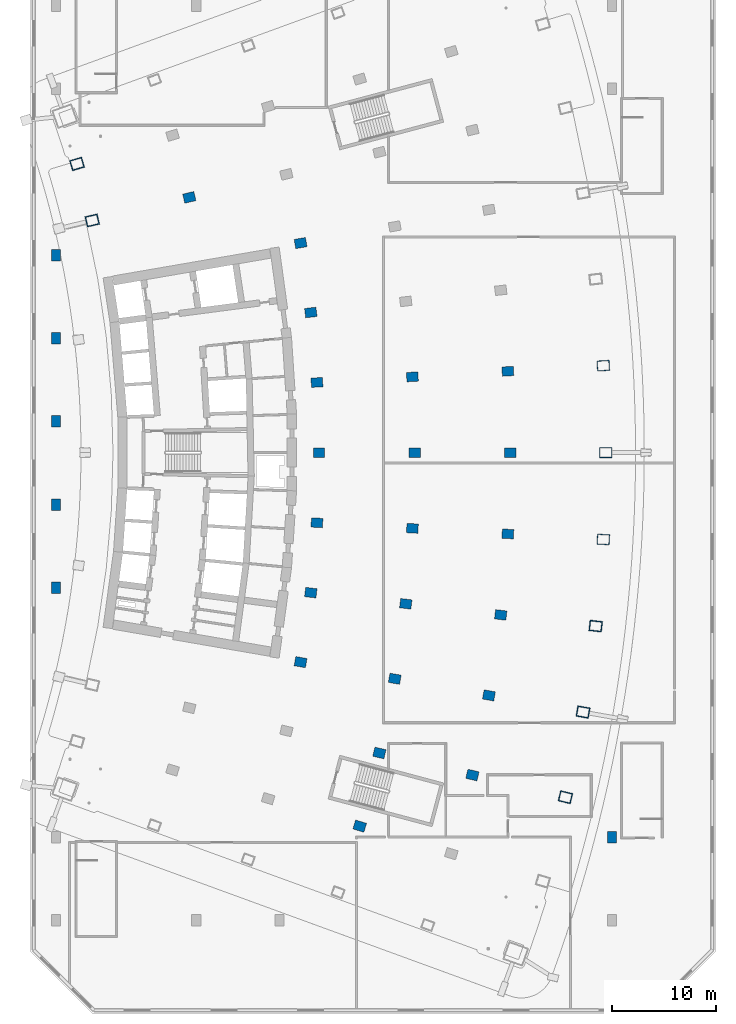
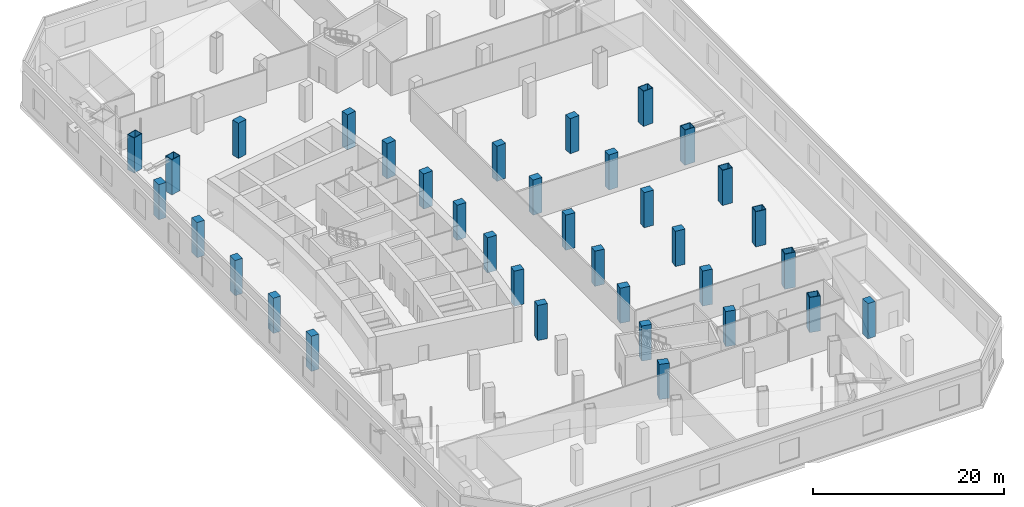
# One storey, part 5 of 19: 35 columns.
"""IFC4 building model written with IfcOpenShell, lengths in metres."""

from ifc_helpers import new_model, si_unit, direction, frame, origin, origin_2d, place, context, subcontext, project, spatial, rectangle, hollow_rectangle, extrude, material, material_profile, profile_set, type_object, element, save


model = new_model("IFC4")

# Units and contexts
model_context = context("Model", 3, precision=1e-05, world=origin(), true_north=direction((0.0, 1.0)))
body_context = subcontext(model_context, "Body", "Model", "MODEL_VIEW")
ifc_project = project(units=[si_unit("LENGTHUNIT", "METRE"), si_unit("AREAUNIT", "SQUARE_METRE"), si_unit("VOLUMEUNIT", "CUBIC_METRE"), si_unit("PLANEANGLEUNIT", "RADIAN"), si_unit("MASSUNIT", "GRAM", prefix="KILO")], contexts=[model_context])

# Site, building, storey
site_placement = place(None, origin())
site = spatial("IfcSite", under=ifc_project, at=site_placement, CompositionType="ELEMENT")
building_placement = place(site_placement, origin())
building = spatial("IfcBuilding", under=site, at=building_placement, Name="Alderwake Tower", CompositionType="ELEMENT")
storey_placement = place(building_placement, frame((0.0, 0.0, 27.5)))
storey = spatial("IfcBuildingStorey", under=building, at=storey_placement, Name="L05", CompositionType="ELEMENT", Elevation=27.5)

# Columns
ifc_material_1 = material(Name="Concrete C70/85", Category="concrete")
ifc_material_profile_1 = material_profile(ifc_material_1, rectangle(XDim=0.89990234375, YDim=1.10009765625, at=origin_2d()), Name="RC 1100X900")
ifc_profile_set_1 = profile_set([ifc_material_profile_1], Name="Concrete C70/85")
column_type_1 = type_object("IfcColumnType", Name="Interior column Z1", PredefinedType="COLUMN", material=ifc_profile_set_1)
for number, where, z_axis, x_axis, name in (
    (1, (39.720703125, 25.056396484375, 0.0), (0.0, 0.0, 1.0), (0.287549418125, 0.957765802342, 0.0), "Column R02-C3"),
    (2, (41.612548828125, 32.097412109375, 0.0), (0.0, 0.0, 1.0), (0.231221547198, 0.972901123502, 0.0), "Column R03-C3"),
    (3, (50.563232421875, 29.969970703125, 0.0), (0.0, 0.0, 1.0), (0.231221547198, 0.972901123502, 0.0), "Column R03-C4"),
    (4, (34.03125, 40.83837890625, 0.0), (0.0, 0.0, 1.0), (0.174108800747, 0.984726421654, 0.0), "Column R04-C2"),
    (5, (43.0908203125, 39.236572265625, 0.0), (0.0, 0.0, 1.0), (0.174108800747, 0.984726421654, 0.0), "Column R04-C3"),
    (6, (52.150390625, 37.634765625, 0.0), (0.0, 0.0, 1.0), (0.174108800747, 0.984726421654, 0.0), "Column R04-C4"),
    (7, (35.0126953125, 47.5205078125, 0.0), (0.0, 0.0, 1.0), (0.116402054316, 0.993202175668, 0.0), "Column R05-C2"),
    (8, (44.150390625, 46.44970703125, 0.0), (0.0, 0.0, 1.0), (0.116402054316, 0.993202175668, 0.0), "Column R05-C3"),
    (9, (53.28759765625, 45.37890625, 0.0), (0.0, 0.0, 1.0), (0.116402054316, 0.993202175668, 0.0), "Column R05-C4"),
    (10, (35.60302734375, 54.248779296875, 0.0), (0.0, 0.0, 1.0), (0.058301061284, 0.998299046505, 0.0), "Column R06-C2"),
    (11, (44.787353515625, 53.71240234375, 0.0), (0.0, 0.0, 1.0), (0.058299318924, 0.998299148258, 0.0), "Column R06-C3"),
    (12, (53.9716796875, 53.176025390625, 0.0), (0.0, 0.0, 1.0), (0.058301061284, 0.998299046505, 0.0), "Column R06-C4"),
    (13, (35.800048828125, 61.0, 0.0), (0.0, 0.0, 1.0), (0.0, 1.0, 0.0), "Column R07-C2"),
    (14, (45.0, 61.0, 0.0), (0.0, 0.0, 1.0), (0.0, 1.0, 0.0), "Column R07-C3"),
    (15, (54.199951171875, 61.0, 0.0), (0.0, 0.0, 1.0), (0.0, 1.0, 0.0), "Column R07-C4"),
    (16, (35.60302734375, 67.751220703125, 0.0), (0.0, 0.0, 1.0), (-0.058301061284, 0.998299046505, 0.0), "Column R08-C2"),
    (17, (44.787353515625, 68.28759765625, 0.0), (0.0, 0.0, 1.0), (-0.058299318924, 0.998299148258, 0.0), "Column R08-C3"),
    (18, (53.9716796875, 68.823974609375, 0.0), (0.0, 0.0, 1.0), (-0.058301061284, 0.998299046505, 0.0), "Column R08-C4"),
    (19, (35.0126953125, 74.4794921875, 0.0), (0.0, 0.0, 1.0), (-0.116402054316, 0.993202175668, 0.0), "Column R09-C2"),
    (20, (34.03125, 81.16162109375, 0.0), (0.0, 0.0, 1.0), (-0.174108800747, 0.984726421654, 0.0), "Column R10-C2"),
    (21, (23.322021484375, 85.555908203125, 0.0), (0.0, 0.0, 1.0), (-0.231221547198, 0.972901123502, 0.0), "Column R11-C1"),
):
    element("IfcColumn", number, at=place(storey_placement, frame(where, z_axis=z_axis, x_axis=x_axis)), inside=storey, type_object=column_type_1, Name=name, PredefinedType="COLUMN", context=body_context, shape_type="SweptSolid", body=[
        extrude(rectangle(XDim=0.89990234375, YDim=1.10009765625, at=origin_2d()), origin(), (0.0, 0.0, 1.0), 4.5),
    ])
ifc_material_2 = material(Name="Steel ASTM A572 Grade 50 concrete filled C70/85", Category="concrete")
ifc_material_profile_2 = material_profile(ifc_material_2, hollow_rectangle(XDim=1.0, YDim=1.199951171875, WallThickness=0.06005859375, at=origin_2d()), Name="BOX 1200X1000X60")
ifc_profile_set_2 = profile_set([ifc_material_profile_2], Name="Steel ASTM A572 Grade 50 concrete filled C70/85")
column_type_2 = type_object("IfcColumnType", Name="Perimeter column Z1", PredefinedType="COLUMN", material=ifc_profile_set_2)
for number, where, z_axis, x_axis, name in (
    (22, (59.513916015625, 27.8427734375, 0.0), (0.0, 0.0, 1.0), (0.231221547198, 0.972901123502, 0.0), "Column R03-C5"),
    (23, (61.209716796875, 36.032958984375, 0.0), (0.0, 0.0, 1.0), (0.174108800747, 0.984726421654, 0.0), "Column R04-C5"),
    (24, (62.42529296875, 44.307861328125, 0.0), (0.0, 0.0, 1.0), (0.116402054316, 0.993202175668, 0.0), "Column R05-C5"),
    (25, (63.156005859375, 52.6396484375, 0.0), (0.0, 0.0, 1.0), (0.058301061284, 0.998299046505, 0.0), "Column R06-C5"),
    (26, (63.39990234375, 61.0, 0.0), (0.0, 0.0, 1.0), (0.0, 1.0, 0.0), "Column R07-C5"),
    (27, (63.156005859375, 69.3603515625, 0.0), (0.0, 0.0, 1.0), (-0.058301061284, 0.998299046505, 0.0), "Column R08-C5"),
    (28, (13.982177734375, 83.3359375, 0.0), (0.0, 0.0, 1.0), (-0.231221547198, 0.972901123502, 0.0), "Column R11-C0"),
    (29, (12.520263671875, 88.777099609375, 0.0), (0.0, 0.0, 1.0), (-0.287549418125, 0.957765802342, 0.0), "Column R12-C0"),
):
    element("IfcColumn", number, at=place(storey_placement, frame(where, z_axis=z_axis, x_axis=x_axis)), inside=storey, type_object=column_type_2, Name=name, PredefinedType="COLUMN", context=body_context, shape_type="SweptSolid", body=[
        extrude(hollow_rectangle(XDim=1.0, YDim=1.199951171875, WallThickness=0.06005859375, at=origin_2d()), origin(), (0.0, 0.0, 1.0), 4.5),
    ])
ifc_material_3 = material(Name="Concrete C70/85", Category="concrete")
ifc_material_profile_3 = material_profile(ifc_material_3, rectangle(XDim=0.89990234375, YDim=1.10009765625, at=origin_2d()), Name="RC 1100X900")
ifc_profile_set_3 = profile_set([ifc_material_profile_3], Name="Concrete C70/85")
column_type_3 = type_object("IfcColumnType", Name="Podium column", PredefinedType="COLUMN", material=ifc_profile_set_3)
for number, where, z_axis, x_axis, name in (
    (30, (10.5, 48.0, 0.0), (0.0, 0.0, 1.0), (1.0, 0.0, 0.0), "Column XW-YG"),
    (31, (10.5, 56.0, 0.0), (0.0, 0.0, 1.0), (1.0, 0.0, 0.0), "Column XW-YH"),
    (32, (10.5, 64.0, 0.0), (0.0, 0.0, 1.0), (1.0, 0.0, 0.0), "Column XW-YI"),
    (33, (10.5, 72.0, 0.0), (0.0, 0.0, 1.0), (1.0, 0.0, 0.0), "Column XW-YJ"),
    (34, (10.5, 80.0, 0.0), (0.0, 0.0, 1.0), (1.0, 0.0, 0.0), "Column XW-YK"),
    (35, (64.0, 24.0, 0.0), (0.0, 0.0, 1.0), (1.0, 0.0, 0.0), "Column X09-YD"),
):
    element("IfcColumn", number, at=place(storey_placement, frame(where, z_axis=z_axis, x_axis=x_axis)), inside=storey, type_object=column_type_3, Name=name, PredefinedType="COLUMN", context=body_context, shape_type="SweptSolid", body=[
        extrude(rectangle(XDim=0.89990234375, YDim=1.10009765625, at=origin_2d()), origin(), (0.0, 0.0, 1.0), 4.5),
    ])

save(model, "model.ifc")
